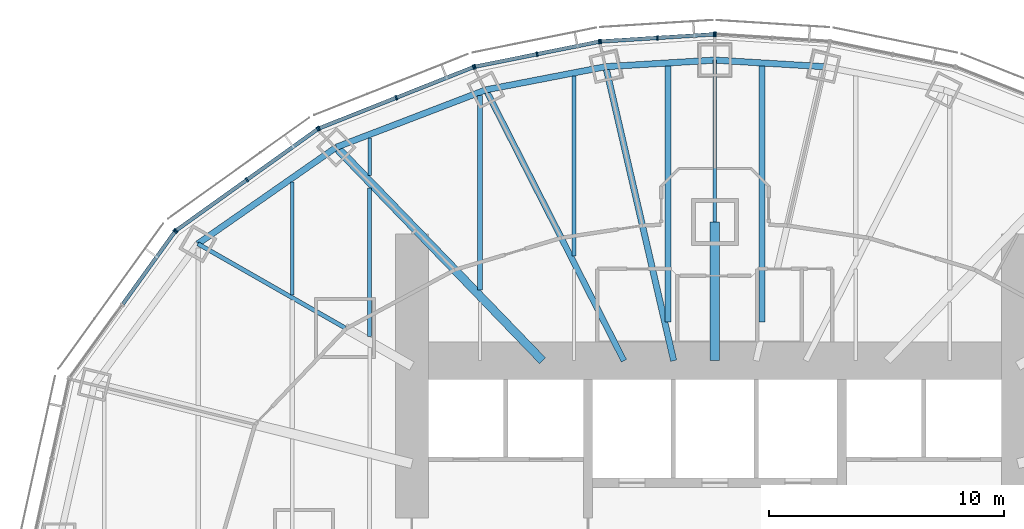
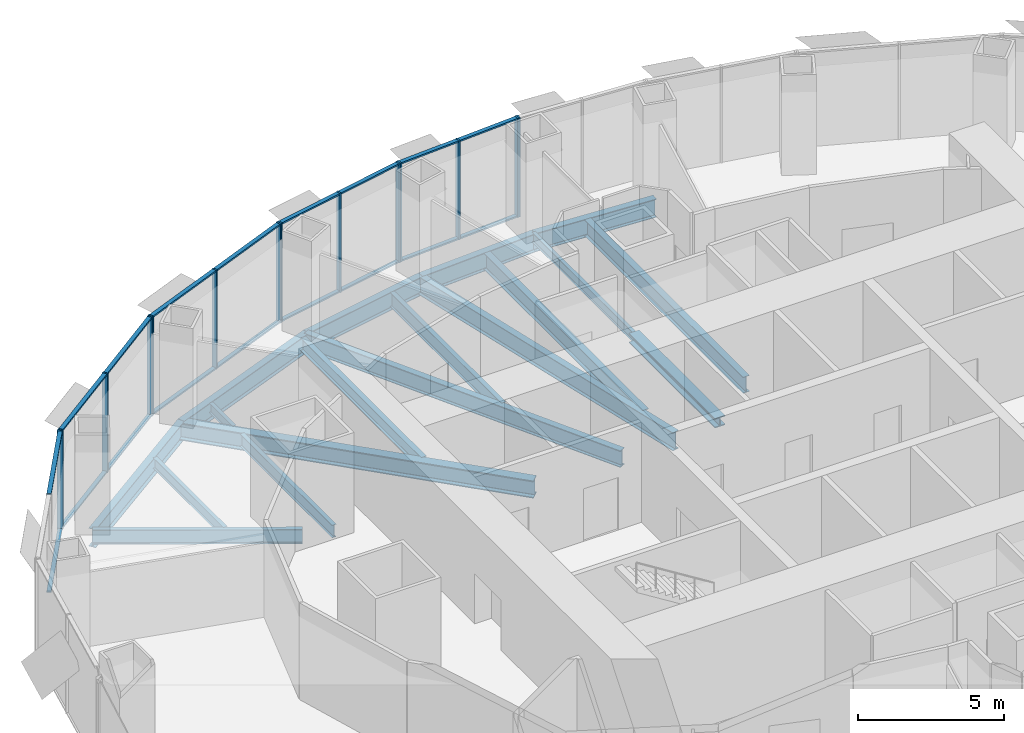
# One storey, part 7 of 18: 32 members, 18 beams, 6 elements without a shape of their own.
"""IFC4 building model written with IfcOpenShell, lengths in metres."""

from ifc_helpers import new_model, si_unit, direction, frame, origin, origin_2d, place, context, subcontext, project, spatial, rectangle, i_section, extrude, material, material_profile, profile_set, type_object, element, aggregate, save


model = new_model("IFC4")

# Units and contexts
model_context = context("Model", 3, precision=1e-05, world=origin(), true_north=direction((0.0, 1.0)))
body_context = subcontext(model_context, "Body", "Model", "MODEL_VIEW")
ifc_project = project(units=[si_unit("LENGTHUNIT", "METRE"), si_unit("AREAUNIT", "SQUARE_METRE"), si_unit("VOLUMEUNIT", "CUBIC_METRE"), si_unit("PLANEANGLEUNIT", "RADIAN"), si_unit("MASSUNIT", "GRAM", prefix="KILO")], contexts=[model_context])

# Site, building, storey
site_placement = place(None, origin())
site = spatial("IfcSite", under=ifc_project, at=site_placement, CompositionType="ELEMENT")
building_placement = place(site_placement, origin())
building = spatial("IfcBuilding", under=site, at=building_placement, Name="Lantaw Convention Tower", CompositionType="ELEMENT")
storey_placement = place(building_placement, frame((0.0, 0.0, 146.800048828125)))
storey = spatial("IfcBuildingStorey", under=building, at=storey_placement, Name="L34", CompositionType="ELEMENT", Elevation=146.800048828125)

# Beams
ifc_material_1 = material(Name="Steel ASTM A992", Category="steel")
ifc_material_profile_1 = material_profile(ifc_material_1, i_section(OverallWidth=0.2666015625, OverallDepth=0.76953125, WebThickness=0.015625, FlangeThickness=0.025390625, FilletRadius=0.0126953125, at=origin_2d()), Name="W30X132")
ifc_profile_set_1 = profile_set([ifc_material_profile_1], Name="Steel ASTM A992")
beam_type_1 = type_object("IfcBeamType", Name="Beam E W30X132", PredefinedType="SPANDREL", material=ifc_profile_set_1)
for number, where, z_axis, x_axis, name in (
    (1, (4.64501953125, 20.1201171875, -0.534912109375), (-0.998190892054, 0.06012439621, 0.0), (-0.06012439621, -0.998190892054, 0.0), "Edge beam 6"),
    (2, (0.0, 20.39990234375, -0.534912109375), (-0.998190892054, -0.06012439621, 0.0), (0.06012439621, -0.998190892054, 0.0), "Edge beam 7"),
):
    element("IfcBeam", number, at=place(storey_placement, frame(where, z_axis=z_axis, x_axis=x_axis)), inside=storey, type_object=beam_type_1, Name=name, PredefinedType="SPANDREL", context=body_context, shape_type="SweptSolid", body=[
        extrude(i_section(OverallWidth=0.2666015625, OverallDepth=0.76953125, WebThickness=0.015625, FlangeThickness=0.025390625, FilletRadius=0.0126953125, at=origin_2d()), origin(), (0.0, 0.0, 1.0), 4.6533203125),
    ])
beam_1_placement = place(storey_placement, frame((-4.64501953125, 20.1201171875, -0.534912109375), z_axis=(-0.981796805654, -0.189934284446, 0.0), x_axis=(0.189934284446, -0.981796805654, 0.0)))
element("IfcBeam", 3, at=beam_1_placement, inside=storey, type_object=beam_type_1, Name="Edge beam 8", PredefinedType="SPANDREL", context=body_context, shape_type="SweptSolid", body=[
    extrude(i_section(OverallWidth=0.2666015625, OverallDepth=0.76953125, WebThickness=0.015625, FlangeThickness=0.025390625, FilletRadius=0.0126953125, at=origin_2d()), origin(), (0.0, 0.0, 1.0), 5.1982421875),
])
beam_2_placement = place(storey_placement, frame((-9.74853515625, 19.1328125, -0.534912109375), z_axis=(-0.933691081977, -0.358079549033, 0.0), x_axis=(0.358079549033, -0.933691081977, 0.0)))
element("IfcBeam", 4, at=beam_2_placement, inside=storey, type_object=beam_type_1, Name="Edge beam 9", PredefinedType="SPANDREL", context=body_context, shape_type="SweptSolid", body=[
    extrude(i_section(OverallWidth=0.2666015625, OverallDepth=0.76953125, WebThickness=0.015625, FlangeThickness=0.025390625, FilletRadius=0.0126953125, at=origin_2d()), origin(), (0.0, 0.0, 1.0), 6.821533203125),
])
beam_3_placement = place(storey_placement, frame((-16.11767578125, 16.690185546875, -0.534912109375), z_axis=(-0.820310765287, -0.57191804339, 0.0), x_axis=(0.57191804339, -0.820310765287, 0.0)))
element("IfcBeam", 5, at=beam_3_placement, inside=storey, type_object=beam_type_1, Name="Edge beam 10", PredefinedType="SPANDREL", context=body_context, shape_type="SweptSolid", body=[
    extrude(i_section(OverallWidth=0.2666015625, OverallDepth=0.76953125, WebThickness=0.015625, FlangeThickness=0.025390625, FilletRadius=0.0126953125, at=origin_2d()), origin(), (0.0, 0.0, 1.0), 7.187744140625),
])
ifc_material_profile_2 = material_profile(ifc_material_1, i_section(OverallWidth=0.140380859375, OverallDepth=0.40380859375, WebThickness=0.007080078125, FlangeThickness=0.01123046875, FilletRadius=0.01025390625, at=origin_2d()), Name="W16X31")
ifc_profile_set_2 = profile_set([ifc_material_profile_2], Name="Steel ASTM A992")
beam_type_2 = type_object("IfcBeamType", Name="Beam G W16X31", PredefinedType="BEAM", material=ifc_profile_set_2)
beam_4_placement = place(storey_placement, frame((0.0, 13.5, -0.35205078125), z_axis=(0.0, 1.0, 0.0), x_axis=(-1.0, 0.0, 0.0)))
element("IfcBeam", 6, at=beam_4_placement, inside=storey, type_object=beam_type_2, Name="Floor girder on ray 7", PredefinedType="BEAM", context=body_context, shape_type="SweptSolid", body=[
    extrude(i_section(OverallWidth=0.140380859375, OverallDepth=0.40380859375, WebThickness=0.007080078125, FlangeThickness=0.01123046875, FilletRadius=0.01025390625, at=origin_2d()), origin(), (0.0, 0.0, 1.0), 6.89990234375),
])
ifc_material_profile_3 = material_profile(ifc_material_1, i_section(OverallWidth=0.177978515625, OverallDepth=0.599365234375, WebThickness=0.010009765625, FlangeThickness=0.012939453125, FilletRadius=0.012939453125, at=origin_2d()), Name="W24X55")
ifc_profile_set_3 = profile_set([ifc_material_profile_3], Name="Steel ASTM A992")
beam_type_3 = type_object("IfcBeamType", Name="Beam G W24X55", PredefinedType="BEAM", material=ifc_profile_set_3)
beam_5_placement = place(storey_placement, frame((-15.75, 9.0, -0.44970703125), z_axis=(-0.868245224608, 0.496135293993, 0.0), x_axis=(-0.496135293993, -0.868245224608, 0.0)))
element("IfcBeam", 7, at=beam_5_placement, inside=storey, type_object=beam_type_3, Name="Floor girder on ray 11", PredefinedType="BEAM", context=body_context, shape_type="SweptSolid", body=[
    extrude(i_section(OverallWidth=0.177978515625, OverallDepth=0.599365234375, WebThickness=0.010009765625, FlangeThickness=0.012939453125, FilletRadius=0.012939453125, at=origin_2d()), origin(), (0.0, 0.0, 1.0), 7.21435546875),
])
ifc_material_profile_4 = material_profile(ifc_material_1, i_section(OverallWidth=0.25390625, OverallDepth=0.700927734375, WebThickness=0.015380859375, FlangeThickness=0.02783203125, FilletRadius=0.01513671875, at=origin_2d()), Name="W27X129")
ifc_profile_set_4 = profile_set([ifc_material_profile_4], Name="Steel ASTM A992")
beam_type_4 = type_object("IfcBeamType", Name="Beam G W27X129", PredefinedType="BEAM", material=ifc_profile_set_4)
beam_6_placement = place(storey_placement, frame((-3.872314453125, 7.60009765625, -0.50048828125), z_axis=(-0.453991051051, 0.891006243281, 0.0), x_axis=(-0.891006243281, -0.453991051051, 0.0)))
element("IfcBeam", 8, at=beam_6_placement, inside=storey, type_object=beam_type_4, Name="Floor girder on ray 9", PredefinedType="BEAM", context=body_context, shape_type="SweptSolid", body=[
    extrude(i_section(OverallWidth=0.25390625, OverallDepth=0.700927734375, WebThickness=0.015380859375, FlangeThickness=0.02783203125, FilletRadius=0.01513671875, at=origin_2d()), origin(), (0.0, 0.0, 1.0), 12.943359375),
])
ifc_material_profile_5 = material_profile(ifc_material_1, i_section(OverallWidth=0.360595703125, OverallDepth=0.72900390625, WebThickness=0.023193359375, FlangeThickness=0.041015625, FilletRadius=0.0126953125, at=origin_2d()), Name="W27X235")
ifc_profile_set_5 = profile_set([ifc_material_profile_5], Name="Steel ASTM A992")
beam_type_5 = type_object("IfcBeamType", Name="Beam G W27X235", PredefinedType="BEAM", material=ifc_profile_set_5)
beam_7_placement = place(storey_placement, frame((-7.33935546875, 7.60009765625, -0.5146484375), z_axis=(-0.694663467407, 0.719334878239, 0.0), x_axis=(-0.719334878239, -0.694663467407, 0.0)))
element("IfcBeam", 9, at=beam_7_placement, inside=storey, type_object=beam_type_5, Name="Floor girder on ray 10", PredefinedType="BEAM", context=body_context, shape_type="SweptSolid", body=[
    extrude(i_section(OverallWidth=0.360595703125, OverallDepth=0.72900390625, WebThickness=0.023193359375, FlangeThickness=0.041015625, FilletRadius=0.0126953125, at=origin_2d()), origin(), (0.0, 0.0, 1.0), 12.63671875),
])
ifc_material_profile_6 = material_profile(ifc_material_1, i_section(OverallWidth=0.2666015625, OverallDepth=0.7568359375, WebThickness=0.013916015625, FlangeThickness=0.019287109375, FilletRadius=0.0126953125, at=origin_2d()), Name="W30X108")
ifc_profile_set_6 = profile_set([ifc_material_profile_6], Name="Steel ASTM A992")
beam_type_6 = type_object("IfcBeamType", Name="Beam G W30X108", PredefinedType="BEAM", material=ifc_profile_set_6)
beam_8_placement = place(storey_placement, frame((-1.754638671875, 7.60009765625, -0.528564453125), z_axis=(-0.224944153104, 0.974371658036, 0.0), x_axis=(-0.974371658036, -0.224944153104, 0.0)))
element("IfcBeam", 10, at=beam_8_placement, inside=storey, type_object=beam_type_6, Name="Floor girder on ray 8", PredefinedType="BEAM", context=body_context, shape_type="SweptSolid", body=[
    extrude(i_section(OverallWidth=0.2666015625, OverallDepth=0.7568359375, WebThickness=0.013916015625, FlangeThickness=0.019287109375, FilletRadius=0.0126953125, at=origin_2d()), origin(), (0.0, 0.0, 1.0), 12.849365234375),
])
ifc_material_profile_7 = material_profile(ifc_material_1, i_section(OverallWidth=0.40380859375, OverallDepth=0.406494140625, WebThickness=0.027099609375, FlangeThickness=0.043701171875, FilletRadius=0.01513671875, at=origin_2d()), Name="W14X233")
ifc_profile_set_7 = profile_set([ifc_material_profile_7], Name="Steel ASTM A992")
beam_type_7 = type_object("IfcBeamType", Name="Beam GM W14X233", PredefinedType="BEAM", material=ifc_profile_set_7)
beam_9_placement = place(storey_placement, frame((0.0, 7.60009765625, -0.353271484375), z_axis=(0.0, 1.0, 0.0), x_axis=(-1.0, 0.0, 0.0)))
element("IfcBeam", 11, at=beam_9_placement, inside=storey, type_object=beam_type_7, Name="Core link beam on ray 7", PredefinedType="BEAM", context=body_context, shape_type="SweptSolid", body=[
    extrude(i_section(OverallWidth=0.40380859375, OverallDepth=0.406494140625, WebThickness=0.027099609375, FlangeThickness=0.043701171875, FilletRadius=0.01513671875, at=origin_2d()), origin(), (0.0, 0.0, 1.0), 5.89990234375),
])
ifc_material_profile_8 = material_profile(ifc_material_1, i_section(OverallWidth=0.140380859375, OverallDepth=0.40380859375, WebThickness=0.007080078125, FlangeThickness=0.01123046875, FilletRadius=0.01025390625, at=origin_2d()), Name="W16X31")
ifc_profile_set_8 = profile_set([ifc_material_profile_8], Name="Steel ASTM A992")
beam_type_8 = type_object("IfcBeamType", Name="Beam J W16X31", PredefinedType="JOIST", material=ifc_profile_set_8)
beam_10_placement = place(storey_placement, frame((-14.699951171875, 15.48193359375, -0.35205078125), z_axis=(0.0, 1.0, 0.0), x_axis=(-1.0, 0.0, 0.0)))
element("IfcBeam", 12, at=beam_10_placement, inside=storey, type_object=beam_type_8, Name="Floor joist", PredefinedType="JOIST", context=body_context, shape_type="SweptSolid", body=[
    extrude(i_section(OverallWidth=0.140380859375, OverallDepth=0.40380859375, WebThickness=0.007080078125, FlangeThickness=0.01123046875, FilletRadius=0.01025390625, at=origin_2d()), origin(), (0.0, 0.0, 1.0), 1.609130859375),
])
ifc_material_profile_9 = material_profile(ifc_material_1, i_section(OverallWidth=0.15234375, OverallDepth=0.449462890625, WebThickness=0.007568359375, FlangeThickness=0.0107421875, FilletRadius=0.01025390625, at=origin_2d()), Name="W18X35")
ifc_profile_set_9 = profile_set([ifc_material_profile_9], Name="Steel ASTM A992")
beam_type_9 = type_object("IfcBeamType", Name="Beam J W18X35", PredefinedType="JOIST", material=ifc_profile_set_9)
beam_11_placement = place(storey_placement, frame((-18.0, 10.38818359375, -0.374755859375), z_axis=(0.0, 1.0, 0.0), x_axis=(-1.0, 0.0, 0.0)))
element("IfcBeam", 13, at=beam_11_placement, inside=storey, type_object=beam_type_9, Name="Floor joist", PredefinedType="JOIST", context=body_context, shape_type="SweptSolid", body=[
    extrude(i_section(OverallWidth=0.15234375, OverallDepth=0.449462890625, WebThickness=0.007568359375, FlangeThickness=0.0107421875, FilletRadius=0.01025390625, at=origin_2d()), origin(), (0.0, 0.0, 1.0), 4.8271484375),
])
ifc_material_profile_10 = material_profile(ifc_material_1, i_section(OverallWidth=0.1650390625, OverallDepth=0.52587890625, WebThickness=0.0087890625, FlangeThickness=0.011474609375, FilletRadius=0.0126953125, at=origin_2d()), Name="W21X44")
ifc_profile_set_10 = profile_set([ifc_material_profile_10], Name="Steel ASTM A992")
beam_type_10 = type_object("IfcBeamType", Name="Beam J W21X44", PredefinedType="JOIST", material=ifc_profile_set_10)
beam_12_placement = place(storey_placement, frame((-14.699951171875, 8.632568359375, -0.412841796875), z_axis=(0.0, 1.0, 0.0), x_axis=(-1.0, 0.0, 0.0)))
element("IfcBeam", 14, at=beam_12_placement, inside=storey, type_object=beam_type_10, Name="Floor joist", PredefinedType="JOIST", context=body_context, shape_type="SweptSolid", body=[
    extrude(i_section(OverallWidth=0.1650390625, OverallDepth=0.52587890625, WebThickness=0.0087890625, FlangeThickness=0.011474609375, FilletRadius=0.0126953125, at=origin_2d()), origin(), (0.0, 0.0, 1.0), 6.330078125),
])
ifc_material_profile_11 = material_profile(ifc_material_1, i_section(OverallWidth=0.2099609375, OverallDepth=0.535888671875, WebThickness=0.010986328125, FlangeThickness=0.017333984375, FilletRadius=0.012939453125, at=origin_2d()), Name="W21X68")
ifc_profile_set_11 = profile_set([ifc_material_profile_11], Name="Steel ASTM A992")
beam_type_11 = type_object("IfcBeamType", Name="Beam J W21X68", PredefinedType="JOIST", material=ifc_profile_set_11)
beam_13_placement = place(storey_placement, frame((-10.0, 10.614990234375, -0.41796875), z_axis=(0.0, 1.0, 0.0), x_axis=(-1.0, 0.0, 0.0)))
element("IfcBeam", 15, at=beam_13_placement, inside=storey, type_object=beam_type_11, Name="Floor joist", PredefinedType="JOIST", context=body_context, shape_type="SweptSolid", body=[
    extrude(i_section(OverallWidth=0.2099609375, OverallDepth=0.535888671875, WebThickness=0.010986328125, FlangeThickness=0.017333984375, FilletRadius=0.012939453125, at=origin_2d()), origin(), (0.0, 0.0, 1.0), 8.278564453125),
])
ifc_material_profile_12 = material_profile(ifc_material_1, i_section(OverallWidth=0.177978515625, OverallDepth=0.599365234375, WebThickness=0.010009765625, FlangeThickness=0.012939453125, FilletRadius=0.012939453125, at=origin_2d()), Name="W24X55")
ifc_profile_set_12 = profile_set([ifc_material_profile_12], Name="Steel ASTM A992")
beam_type_12 = type_object("IfcBeamType", Name="Beam J W24X55", PredefinedType="JOIST", material=ifc_profile_set_12)
beam_14_placement = place(storey_placement, frame((-6.0, 12.055419921875, -0.44970703125), z_axis=(0.0, 1.0, 0.0), x_axis=(-1.0, 0.0, 0.0)))
element("IfcBeam", 16, at=beam_14_placement, inside=storey, type_object=beam_type_12, Name="Floor joist", PredefinedType="JOIST", context=body_context, shape_type="SweptSolid", body=[
    extrude(i_section(OverallWidth=0.177978515625, OverallDepth=0.599365234375, WebThickness=0.010009765625, FlangeThickness=0.012939453125, FilletRadius=0.012939453125, at=origin_2d()), origin(), (0.0, 0.0, 1.0), 7.666748046875),
])
ifc_material_profile_13 = material_profile(ifc_material_1, i_section(OverallWidth=0.25390625, OverallDepth=0.683349609375, WebThickness=0.012451171875, FlangeThickness=0.01904296875, FilletRadius=0.01513671875, at=origin_2d()), Name="W27X94")
ifc_profile_set_13 = profile_set([ifc_material_profile_13], Name="Steel ASTM A992")
beam_type_13 = type_object("IfcBeamType", Name="Beam J W27X94", PredefinedType="JOIST", material=ifc_profile_set_13)
for number, where, z_axis, x_axis, name in (
    (17, (-2.0, 9.255859375, -0.49169921875), (0.0, 1.0, 0.0), (-1.0, 0.0, 0.0), "Floor joist"),
    (18, (2.0, 9.255859375, -0.49169921875), (0.0, 1.0, 0.0), (-1.0, 0.0, 0.0), "Floor joist"),
):
    element("IfcBeam", number, at=place(storey_placement, frame(where, z_axis=z_axis, x_axis=x_axis)), inside=storey, type_object=beam_type_13, Name=name, PredefinedType="JOIST", context=body_context, shape_type="SweptSolid", body=[
        extrude(i_section(OverallWidth=0.25390625, OverallDepth=0.683349609375, WebThickness=0.012451171875, FlangeThickness=0.01904296875, FilletRadius=0.01513671875, at=origin_2d()), origin(), (0.0, 0.0, 1.0), 10.889892578125),
    ])

# Curtain wall, member
ifc_material_2 = material(Name="Aluminium framed curtain wall", Category="aluminium")
curtain_wall_type = type_object("IfcCurtainWallType", Name="Office curtain wall low rise, pale aluminium", PredefinedType="USERDEFINED", material=ifc_material_2)
curtain_wall_1_placement = place(storey_placement, origin())
curtain_wall_1 = element("IfcCurtainWall", 19, at=curtain_wall_1_placement, inside=storey, type_object=curtain_wall_type, Name="Office curtain wall low rise, pale aluminium L34", ObjectType="UNITISED CURTAIN WALL", PredefinedType="USERDEFINED")
ifc_material_3 = material(Name="Aluminium 6063-T6", Category="aluminium")
ifc_material_profile_14 = material_profile(ifc_material_3, rectangle(XDim=0.199951171875, YDim=0.06494140625, at=origin_2d()), Name="CW-O1 mullion 65x200")
ifc_profile_set_14 = profile_set([ifc_material_profile_14], Name="Aluminium 6063-T6")
member_type_1 = type_object("IfcMemberType", Name="CW-O1 mullion 65x200", PredefinedType="MULLION", material=ifc_profile_set_14)
member_1_placement = place(storey_placement, frame((0.032470703125, 21.498046875, -0.150146484375), z_axis=(0.0, 0.0, 1.0), x_axis=(-0.062865059466, -0.998022035978, 0.0)))
member_1 = element("IfcMember", 20, at=member_1_placement, type_object=member_type_1, Name="CW-O1 mullion 3", PredefinedType="MULLION", context=body_context, shape_type="SweptSolid", body=[
    extrude(rectangle(XDim=0.199951171875, YDim=0.06494140625, at=origin_2d()), origin(), (0.0, 0.0, 1.0), 4.150146484375),
])
aggregate(curtain_wall_1, [member_1])

# Curtain wall, members
curtain_wall_2_placement = place(storey_placement, origin())
curtain_wall_2 = element("IfcCurtainWall", 21, at=curtain_wall_2_placement, inside=storey, type_object=curtain_wall_type, Name="Office curtain wall low rise, pale aluminium L34", ObjectType="UNITISED CURTAIN WALL", PredefinedType="USERDEFINED")
member_2_placement = place(storey_placement, frame((-0.032470703125, 21.498046875, -0.150146484375), z_axis=(0.0, 0.0, 1.0), x_axis=(0.062865059466, -0.998022035978, 0.0)))
member_2 = element("IfcMember", 22, at=member_2_placement, type_object=member_type_1, Name="CW-O1 mullion 1", PredefinedType="MULLION", context=body_context, shape_type="SweptSolid", body=[
    extrude(rectangle(XDim=0.199951171875, YDim=0.06494140625, at=origin_2d()), origin(), (0.0, 0.0, 1.0), 4.150146484375),
])
member_3_placement = place(storey_placement, frame((-2.4462890625, 21.345947265625, -0.150146484375), z_axis=(0.0, 0.0, 1.0), x_axis=(0.062865059466, -0.998022035978, 0.0)))
member_3 = element("IfcMember", 23, at=member_3_placement, type_object=member_type_1, Name="CW-O1 mullion 2", PredefinedType="MULLION", context=body_context, shape_type="SweptSolid", body=[
    extrude(rectangle(XDim=0.199951171875, YDim=0.06494140625, at=origin_2d()), origin(), (0.0, 0.0, 1.0), 4.150146484375),
])
member_4_placement = place(storey_placement, frame((-4.860107421875, 21.19384765625, -0.150146484375), z_axis=(0.0, 0.0, 1.0), x_axis=(0.062865059466, -0.998022035978, 0.0)))
member_4 = element("IfcMember", 24, at=member_4_placement, type_object=member_type_1, Name="CW-O1 mullion 3", PredefinedType="MULLION", context=body_context, shape_type="SweptSolid", body=[
    extrude(rectangle(XDim=0.199951171875, YDim=0.06494140625, at=origin_2d()), origin(), (0.0, 0.0, 1.0), 4.150146484375),
])

curtain_wall_3_placement = place(storey_placement, origin())
curtain_wall_3 = element("IfcCurtainWall", 25, at=curtain_wall_3_placement, inside=storey, type_object=curtain_wall_type, Name="Office curtain wall low rise, pale aluminium L34", ObjectType="UNITISED CURTAIN WALL", PredefinedType="USERDEFINED")
member_5_placement = place(storey_placement, frame((-4.92431640625, 21.185302734375, -0.150146484375), z_axis=(0.0, 0.0, 1.0), x_axis=(0.197506809659, -0.980301514912, 0.0)))
member_5 = element("IfcMember", 26, at=member_5_placement, type_object=member_type_1, Name="CW-O1 mullion 1", PredefinedType="MULLION", context=body_context, shape_type="SweptSolid", body=[
    extrude(rectangle(XDim=0.199951171875, YDim=0.06494140625, at=origin_2d()), origin(), (0.0, 0.0, 1.0), 4.150146484375),
])
member_6_placement = place(storey_placement, frame((-7.5703125, 20.65234375, -0.150146484375), z_axis=(0.0, 0.0, 1.0), x_axis=(0.197506809659, -0.980301514912, 0.0)))
member_6 = element("IfcMember", 27, at=member_6_placement, type_object=member_type_1, Name="CW-O1 mullion 2", PredefinedType="MULLION", context=body_context, shape_type="SweptSolid", body=[
    extrude(rectangle(XDim=0.199951171875, YDim=0.06494140625, at=origin_2d()), origin(), (0.0, 0.0, 1.0), 4.150146484375),
])
member_7_placement = place(storey_placement, frame((-10.216064453125, 20.119140625, -0.150146484375), z_axis=(0.0, 0.0, 1.0), x_axis=(0.197506809659, -0.980301514912, 0.0)))
member_7 = element("IfcMember", 28, at=member_7_placement, type_object=member_type_1, Name="CW-O1 mullion 3", PredefinedType="MULLION", context=body_context, shape_type="SweptSolid", body=[
    extrude(rectangle(XDim=0.199951171875, YDim=0.06494140625, at=origin_2d()), origin(), (0.0, 0.0, 1.0), 4.150146484375),
])

curtain_wall_4_placement = place(storey_placement, origin())
curtain_wall_4 = element("IfcCurtainWall", 29, at=curtain_wall_4_placement, inside=storey, type_object=curtain_wall_type, Name="Office curtain wall low rise, pale aluminium L34", ObjectType="UNITISED CURTAIN WALL", PredefinedType="USERDEFINED")
member_8_placement = place(storey_placement, frame((-10.2783203125, 20.100830078125, -0.150146484375), z_axis=(0.0, 0.0, 1.0), x_axis=(0.368701907483, -0.929547687544, 0.0)))
member_8 = element("IfcMember", 30, at=member_8_placement, type_object=member_type_1, Name="CW-O1 mullion 1", PredefinedType="MULLION", context=body_context, shape_type="SweptSolid", body=[
    extrude(rectangle(XDim=0.199951171875, YDim=0.06494140625, at=origin_2d()), origin(), (0.0, 0.0, 1.0), 4.150146484375),
])
member_9_placement = place(storey_placement, frame((-13.56494140625, 18.797119140625, -0.150146484375), z_axis=(0.0, 0.0, 1.0), x_axis=(0.368701907483, -0.929547687544, 0.0)))
member_9 = element("IfcMember", 31, at=member_9_placement, type_object=member_type_1, Name="CW-O1 mullion 2", PredefinedType="MULLION", context=body_context, shape_type="SweptSolid", body=[
    extrude(rectangle(XDim=0.199951171875, YDim=0.06494140625, at=origin_2d()), origin(), (0.0, 0.0, 1.0), 4.150146484375),
])
member_10_placement = place(storey_placement, frame((-16.8515625, 17.49365234375, -0.150146484375), z_axis=(0.0, 0.0, 1.0), x_axis=(0.368701907483, -0.929547687544, 0.0)))
member_10 = element("IfcMember", 32, at=member_10_placement, type_object=member_type_1, Name="CW-O1 mullion 3", PredefinedType="MULLION", context=body_context, shape_type="SweptSolid", body=[
    extrude(rectangle(XDim=0.199951171875, YDim=0.06494140625, at=origin_2d()), origin(), (0.0, 0.0, 1.0), 4.150146484375),
])

curtain_wall_5_placement = place(storey_placement, origin())
curtain_wall_5 = element("IfcCurtainWall", 33, at=curtain_wall_5_placement, inside=storey, type_object=curtain_wall_type, Name="Office curtain wall low rise, pale aluminium L34", ObjectType="UNITISED CURTAIN WALL", PredefinedType="USERDEFINED")
member_11_placement = place(storey_placement, frame((-16.908203125, 17.462646484375, -0.150146484375), z_axis=(0.0, 0.0, 1.0), x_axis=(0.581972695693, -0.813208325995, 0.0)))
member_11 = element("IfcMember", 34, at=member_11_placement, type_object=member_type_1, Name="CW-O1 mullion 1", PredefinedType="MULLION", context=body_context, shape_type="SweptSolid", body=[
    extrude(rectangle(XDim=0.199951171875, YDim=0.06494140625, at=origin_2d()), origin(), (0.0, 0.0, 1.0), 4.150146484375),
])
member_12_placement = place(storey_placement, frame((-19.92529296875, 15.303466796875, -0.150146484375), z_axis=(0.0, 0.0, 1.0), x_axis=(0.581972695693, -0.813208325995, 0.0)))
member_12 = element("IfcMember", 35, at=member_12_placement, type_object=member_type_1, Name="CW-O1 mullion 2", PredefinedType="MULLION", context=body_context, shape_type="SweptSolid", body=[
    extrude(rectangle(XDim=0.199951171875, YDim=0.06494140625, at=origin_2d()), origin(), (0.0, 0.0, 1.0), 4.150146484375),
])
member_13_placement = place(storey_placement, frame((-22.942626953125, 13.14404296875, -0.150146484375), z_axis=(0.0, 0.0, 1.0), x_axis=(0.581972695693, -0.813208325995, 0.0)))
member_13 = element("IfcMember", 36, at=member_13_placement, type_object=member_type_1, Name="CW-O1 mullion 3", PredefinedType="MULLION", context=body_context, shape_type="SweptSolid", body=[
    extrude(rectangle(XDim=0.199951171875, YDim=0.06494140625, at=origin_2d()), origin(), (0.0, 0.0, 1.0), 4.150146484375),
])

# Curtain wall, member
curtain_wall_6_placement = place(storey_placement, origin())
curtain_wall_6 = element("IfcCurtainWall", 37, at=curtain_wall_6_placement, inside=storey, type_object=curtain_wall_type, Name="Office curtain wall low rise, pale aluminium L34", ObjectType="UNITISED CURTAIN WALL", PredefinedType="USERDEFINED")
member_14_placement = place(storey_placement, frame((-22.988037109375, 13.098876953125, -0.150146484375), z_axis=(0.0, 0.0, 1.0), x_axis=(0.811384633629, -0.584512597221, 0.0)))
member_14 = element("IfcMember", 38, at=member_14_placement, type_object=member_type_1, Name="CW-O1 mullion 1", PredefinedType="MULLION", context=body_context, shape_type="SweptSolid", body=[
    extrude(rectangle(XDim=0.199951171875, YDim=0.06494140625, at=origin_2d()), origin(), (0.0, 0.0, 1.0), 4.150146484375),
])

# Member
ifc_material_profile_15 = material_profile(ifc_material_3, rectangle(XDim=0.159912109375, YDim=0.06494140625, at=origin_2d()), Name="CW-O1 transom 65x160")
ifc_profile_set_15 = profile_set([ifc_material_profile_15], Name="Aluminium 6063-T6")
member_type_2 = type_object("IfcMemberType", Name="CW-O1 transom 65x160", PredefinedType="USERDEFINED", material=ifc_profile_set_15)
member_15_placement = place(storey_placement, frame((-0.06494140625, 21.495849609375, -0.117431640625), z_axis=(-0.998022188463, -0.062862638625, 0.0), x_axis=(0.062862638625, -0.998022188463, 0.0)))
member_15 = element("IfcMember", 39, at=member_15_placement, type_object=member_type_2, Name="CW-O1 transom 1.1", ObjectType="TRANSOM", PredefinedType="USERDEFINED", context=body_context, shape_type="SweptSolid", body=[
    extrude(rectangle(XDim=0.159912109375, YDim=0.06494140625, at=origin_2d()), origin(), (0.0, 0.0, 1.0), 2.353515625),
])

member_16_placement = place(storey_placement, frame((-0.06494140625, 21.495849609375, 3.967529296875), z_axis=(-0.998022188463, -0.062862638625, 0.0), x_axis=(0.062862638625, -0.998022188463, 0.0)))
member_16 = element("IfcMember", 40, at=member_16_placement, type_object=member_type_2, Name="CW-O1 transom 1.2", ObjectType="TRANSOM", PredefinedType="USERDEFINED", context=body_context, shape_type="SweptSolid", body=[
    extrude(rectangle(XDim=0.159912109375, YDim=0.06494140625, at=origin_2d()), origin(), (0.0, 0.0, 1.0), 2.353515625),
])

member_17_placement = place(storey_placement, frame((-2.478759765625, 21.34375, -0.117431640625), z_axis=(-0.998022188463, -0.062862638625, 0.0), x_axis=(0.062862638625, -0.998022188463, 0.0)))
member_17 = element("IfcMember", 41, at=member_17_placement, type_object=member_type_2, Name="CW-O1 transom 2.1", ObjectType="TRANSOM", PredefinedType="USERDEFINED", context=body_context, shape_type="SweptSolid", body=[
    extrude(rectangle(XDim=0.159912109375, YDim=0.06494140625, at=origin_2d()), origin(), (0.0, 0.0, 1.0), 2.353515625),
])

member_18_placement = place(storey_placement, frame((-2.478759765625, 21.34375, 3.967529296875), z_axis=(-0.998022188463, -0.062862638625, 0.0), x_axis=(0.062862638625, -0.998022188463, 0.0)))
member_18 = element("IfcMember", 42, at=member_18_placement, type_object=member_type_2, Name="CW-O1 transom 2.2", ObjectType="TRANSOM", PredefinedType="USERDEFINED", context=body_context, shape_type="SweptSolid", body=[
    extrude(rectangle(XDim=0.159912109375, YDim=0.06494140625, at=origin_2d()), origin(), (0.0, 0.0, 1.0), 2.353515625),
])

aggregate(curtain_wall_2, [member_2, member_3, member_4, member_15, member_16, member_17, member_18])

member_19_placement = place(storey_placement, frame((-4.956298828125, 21.178955078125, -0.117431640625), z_axis=(-0.980298027092, -0.197524120247, 0.0), x_axis=(0.197524120247, -0.980298027092, 0.0)))
member_19 = element("IfcMember", 43, at=member_19_placement, type_object=member_type_2, Name="CW-O1 transom 1.1", ObjectType="TRANSOM", PredefinedType="USERDEFINED", context=body_context, shape_type="SweptSolid", body=[
    extrude(rectangle(XDim=0.159912109375, YDim=0.06494140625, at=origin_2d()), origin(), (0.0, 0.0, 1.0), 2.634033203125),
])

member_20_placement = place(storey_placement, frame((-4.956298828125, 21.178955078125, 3.967529296875), z_axis=(-0.980298027092, -0.197524120247, 0.0), x_axis=(0.197524120247, -0.980298027092, 0.0)))
member_20 = element("IfcMember", 44, at=member_20_placement, type_object=member_type_2, Name="CW-O1 transom 1.2", ObjectType="TRANSOM", PredefinedType="USERDEFINED", context=body_context, shape_type="SweptSolid", body=[
    extrude(rectangle(XDim=0.159912109375, YDim=0.06494140625, at=origin_2d()), origin(), (0.0, 0.0, 1.0), 2.634033203125),
])

member_21_placement = place(storey_placement, frame((-7.60205078125, 20.64599609375, -0.117431640625), z_axis=(-0.980301643003, -0.197506173891, 0.0), x_axis=(0.197506173891, -0.980301643003, 0.0)))
member_21 = element("IfcMember", 45, at=member_21_placement, type_object=member_type_2, Name="CW-O1 transom 2.1", ObjectType="TRANSOM", PredefinedType="USERDEFINED", context=body_context, shape_type="SweptSolid", body=[
    extrude(rectangle(XDim=0.159912109375, YDim=0.06494140625, at=origin_2d()), origin(), (0.0, 0.0, 1.0), 2.63427734375),
])

member_22_placement = place(storey_placement, frame((-7.60205078125, 20.64599609375, 3.967529296875), z_axis=(-0.980301643003, -0.197506173891, 0.0), x_axis=(0.197506173891, -0.980301643003, 0.0)))
member_22 = element("IfcMember", 46, at=member_22_placement, type_object=member_type_2, Name="CW-O1 transom 2.2", ObjectType="TRANSOM", PredefinedType="USERDEFINED", context=body_context, shape_type="SweptSolid", body=[
    extrude(rectangle(XDim=0.159912109375, YDim=0.06494140625, at=origin_2d()), origin(), (0.0, 0.0, 1.0), 2.63427734375),
])

aggregate(curtain_wall_3, [member_5, member_6, member_7, member_19, member_20, member_21, member_22])

member_23_placement = place(storey_placement, frame((-10.308349609375, 20.0888671875, -0.117431640625), z_axis=(-0.929540081544, -0.368721082668, 0.0), x_axis=(0.368721082668, -0.929540081544, 0.0)))
member_23 = element("IfcMember", 47, at=member_23_placement, type_object=member_type_2, Name="CW-O1 transom 1.1", ObjectType="TRANSOM", PredefinedType="USERDEFINED", context=body_context, shape_type="SweptSolid", body=[
    extrude(rectangle(XDim=0.159912109375, YDim=0.06494140625, at=origin_2d()), origin(), (0.0, 0.0, 1.0), 3.470947265625),
])

member_24_placement = place(storey_placement, frame((-10.308349609375, 20.0888671875, 3.967529296875), z_axis=(-0.929540081544, -0.368721082668, 0.0), x_axis=(0.368721082668, -0.929540081544, 0.0)))
member_24 = element("IfcMember", 48, at=member_24_placement, type_object=member_type_2, Name="CW-O1 transom 1.2", ObjectType="TRANSOM", PredefinedType="USERDEFINED", context=body_context, shape_type="SweptSolid", body=[
    extrude(rectangle(XDim=0.159912109375, YDim=0.06494140625, at=origin_2d()), origin(), (0.0, 0.0, 1.0), 3.470947265625),
])

member_25_placement = place(storey_placement, frame((-13.594970703125, 18.78515625, -0.117431640625), z_axis=(-0.929564188507, -0.368660303592, 0.0), x_axis=(0.368660303592, -0.929564188507, 0.0)))
member_25 = element("IfcMember", 49, at=member_25_placement, type_object=member_type_2, Name="CW-O1 transom 2.1", ObjectType="TRANSOM", PredefinedType="USERDEFINED", context=body_context, shape_type="SweptSolid", body=[
    extrude(rectangle(XDim=0.159912109375, YDim=0.06494140625, at=origin_2d()), origin(), (0.0, 0.0, 1.0), 3.470703125),
])

member_26_placement = place(storey_placement, frame((-13.594970703125, 18.78515625, 3.967529296875), z_axis=(-0.929564188507, -0.368660303592, 0.0), x_axis=(0.368660303592, -0.929564188507, 0.0)))
member_26 = element("IfcMember", 50, at=member_26_placement, type_object=member_type_2, Name="CW-O1 transom 2.2", ObjectType="TRANSOM", PredefinedType="USERDEFINED", context=body_context, shape_type="SweptSolid", body=[
    extrude(rectangle(XDim=0.159912109375, YDim=0.06494140625, at=origin_2d()), origin(), (0.0, 0.0, 1.0), 3.470703125),
])

aggregate(curtain_wall_4, [member_8, member_9, member_10, member_23, member_24, member_25, member_26])

member_27_placement = place(storey_placement, frame((-16.9345703125, 17.44384765625, -0.117431640625), z_axis=(-0.813190089133, -0.581998177777, 0.0), x_axis=(0.581998177777, -0.813190089133, 0.0)))
member_27 = element("IfcMember", 51, at=member_27_placement, type_object=member_type_2, Name="CW-O1 transom 1.1", ObjectType="TRANSOM", PredefinedType="USERDEFINED", context=body_context, shape_type="SweptSolid", body=[
    extrude(rectangle(XDim=0.159912109375, YDim=0.06494140625, at=origin_2d()), origin(), (0.0, 0.0, 1.0), 3.645263671875),
])

member_28_placement = place(storey_placement, frame((-16.9345703125, 17.44384765625, 3.967529296875), z_axis=(-0.813190089133, -0.581998177777, 0.0), x_axis=(0.581998177777, -0.813190089133, 0.0)))
member_28 = element("IfcMember", 52, at=member_28_placement, type_object=member_type_2, Name="CW-O1 transom 1.2", ObjectType="TRANSOM", PredefinedType="USERDEFINED", context=body_context, shape_type="SweptSolid", body=[
    extrude(rectangle(XDim=0.159912109375, YDim=0.06494140625, at=origin_2d()), origin(), (0.0, 0.0, 1.0), 3.645263671875),
])

member_29_placement = place(storey_placement, frame((-19.951904296875, 15.284423828125, -0.117431640625), z_axis=(-0.813221785972, -0.581953887194, 0.0), x_axis=(0.581953887194, -0.813221785972, 0.0)))
member_29 = element("IfcMember", 53, at=member_29_placement, type_object=member_type_2, Name="CW-O1 transom 2.1", ObjectType="TRANSOM", PredefinedType="USERDEFINED", context=body_context, shape_type="SweptSolid", body=[
    extrude(rectangle(XDim=0.159912109375, YDim=0.06494140625, at=origin_2d()), origin(), (0.0, 0.0, 1.0), 3.645263671875),
])

member_30_placement = place(storey_placement, frame((-19.951904296875, 15.284423828125, 3.967529296875), z_axis=(-0.813221785972, -0.581953887194, 0.0), x_axis=(0.581953887194, -0.813221785972, 0.0)))
member_30 = element("IfcMember", 54, at=member_30_placement, type_object=member_type_2, Name="CW-O1 transom 2.2", ObjectType="TRANSOM", PredefinedType="USERDEFINED", context=body_context, shape_type="SweptSolid", body=[
    extrude(rectangle(XDim=0.159912109375, YDim=0.06494140625, at=origin_2d()), origin(), (0.0, 0.0, 1.0), 3.645263671875),
])

aggregate(curtain_wall_5, [member_11, member_12, member_13, member_27, member_28, member_29, member_30])

member_31_placement = place(storey_placement, frame((-23.007080078125, 13.072509765625, -0.117431640625), z_axis=(-0.584512973979, -0.811384362217, 0.0), x_axis=(0.811384362217, -0.584512973979, 0.0)))
member_31 = element("IfcMember", 55, at=member_31_placement, type_object=member_type_2, Name="CW-O1 transom 1.1", ObjectType="TRANSOM", PredefinedType="USERDEFINED", context=body_context, shape_type="SweptSolid", body=[
    extrude(rectangle(XDim=0.159912109375, YDim=0.06494140625, at=origin_2d()), origin(), (0.0, 0.0, 1.0), 3.767578125),
])

member_32_placement = place(storey_placement, frame((-23.007080078125, 13.072509765625, 3.967529296875), z_axis=(-0.584512973979, -0.811384362217, 0.0), x_axis=(0.811384362217, -0.584512973979, 0.0)))
member_32 = element("IfcMember", 56, at=member_32_placement, type_object=member_type_2, Name="CW-O1 transom 1.2", ObjectType="TRANSOM", PredefinedType="USERDEFINED", context=body_context, shape_type="SweptSolid", body=[
    extrude(rectangle(XDim=0.159912109375, YDim=0.06494140625, at=origin_2d()), origin(), (0.0, 0.0, 1.0), 3.767578125),
])

aggregate(curtain_wall_6, [member_14, member_31, member_32])

save(model, "model.ifc")
